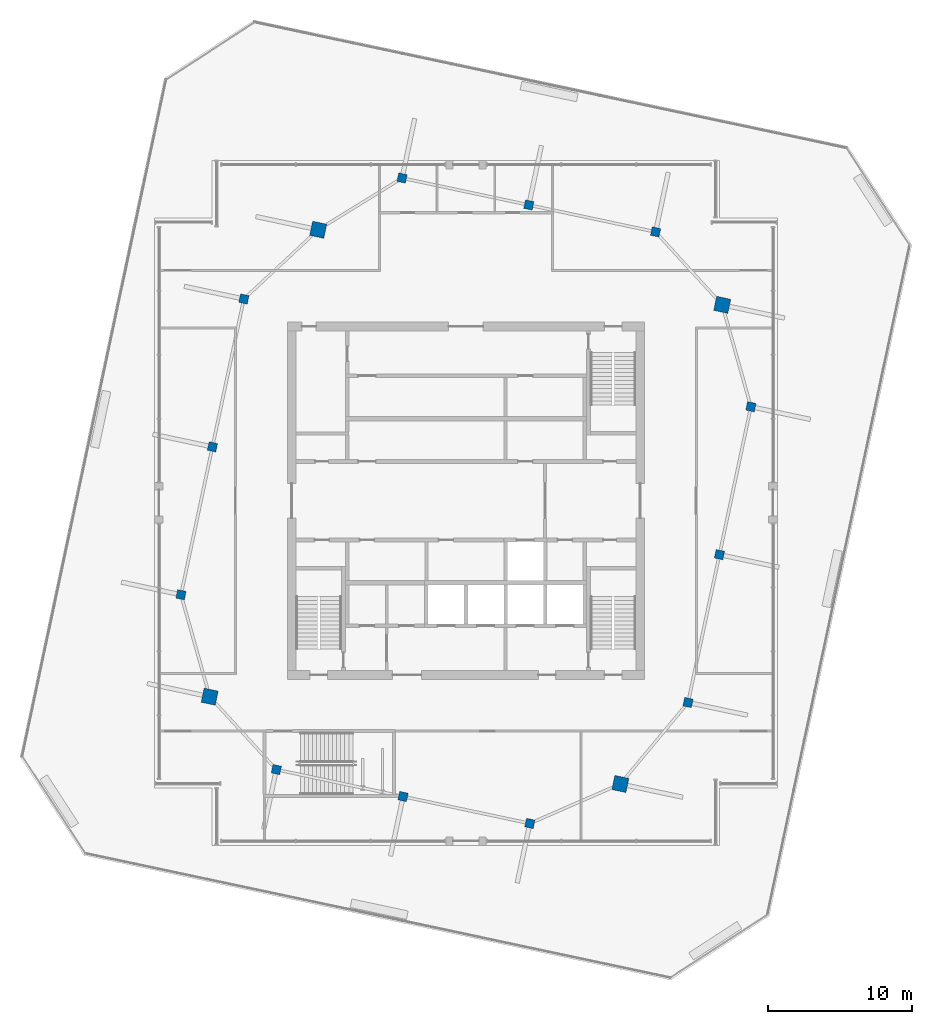
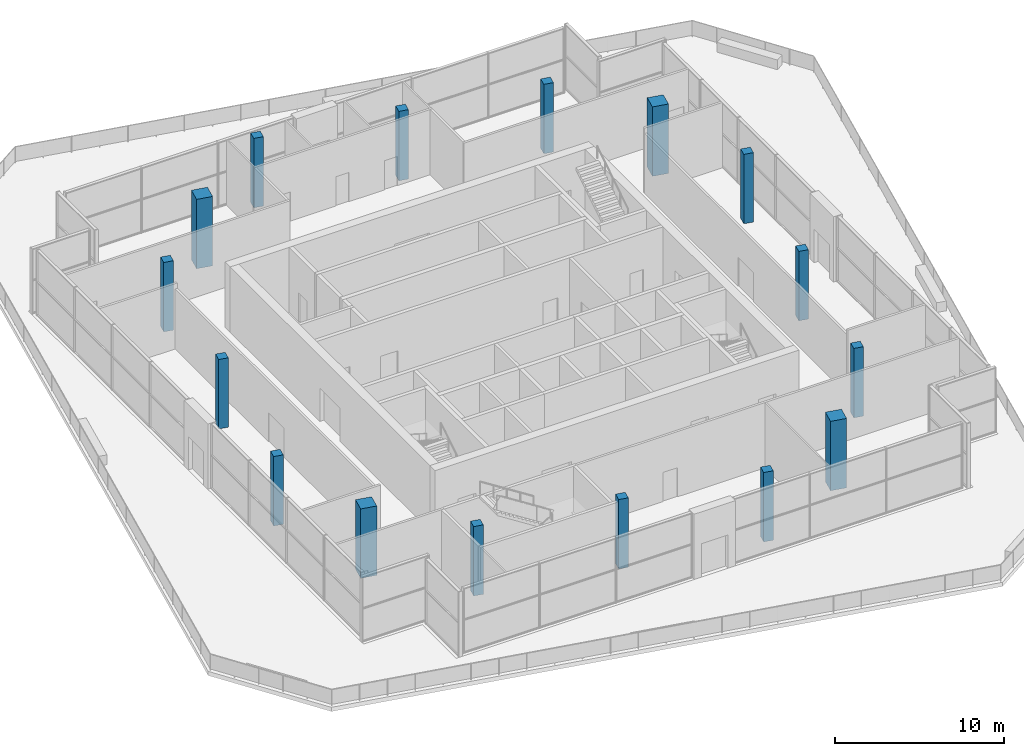
# One storey, part 1 of 14: 16 columns.
"""IFC4 building model written with IfcOpenShell, lengths in metres."""

from ifc_helpers import new_model, si_unit, direction, frame, origin, origin_2d, place, context, subcontext, project, spatial, rectangle, extrude, material, material_profile, profile_set, type_object, element, save


model = new_model("IFC4")

# Units and contexts
model_context = context("Model", 3, precision=1e-05, world=origin(), true_north=direction((0.0, 1.0)))
body_context = subcontext(model_context, "Body", "Model", "MODEL_VIEW")
ifc_project = project(units=[si_unit("LENGTHUNIT", "METRE"), si_unit("AREAUNIT", "SQUARE_METRE"), si_unit("VOLUMEUNIT", "CUBIC_METRE"), si_unit("PLANEANGLEUNIT", "RADIAN"), si_unit("MASSUNIT", "GRAM", prefix="KILO")], contexts=[model_context])

# Site, building, storey
site_placement = place(None, origin())
site = spatial("IfcSite", under=ifc_project, at=site_placement, CompositionType="ELEMENT")
building_placement = place(site_placement, origin())
building = spatial("IfcBuilding", under=site, at=building_placement, Name="Dilmun Exchange Tower", CompositionType="ELEMENT")
storey_placement = place(building_placement, frame((0.0, 0.0, 368.10009765625)))
storey = spatial("IfcBuildingStorey", under=building, at=storey_placement, Name="Crown L86", CompositionType="ELEMENT", Elevation=368.10009765625)

# Columns
ifc_material = material(Name="Concrete C50/60", Category="concrete")
ifc_material_profile_1 = material_profile(ifc_material, rectangle(XDim=1.0, YDim=1.0, at=origin_2d()), Name="1000 x 1000")
ifc_profile_set_1 = profile_set([ifc_material_profile_1], Name="Concrete C50/60")
column_type_1 = type_object("IfcColumnType", Name="RC crown mega column 1000 x 1000 C50/60", PredefinedType="COLUMN", material=ifc_profile_set_1)
for number, where, z_axis, x_axis, name in (
    (1, (-10.260986328125, 18.820068359375, 0.0), (0.0, 0.0, 1.0), (0.207911690818, 0.978147600734, 0.0), "Crown column M1"),
    (2, (-17.798095703125, -13.60693359375, 0.0), (0.0, 0.0, 1.0), (0.207911690818, 0.978147600734, 0.0), "Crown column M2"),
    (3, (10.72509765625, -19.669921875, 0.0), (0.0, 0.0, 1.0), (0.207911690818, 0.978147600734, 0.0), "Crown column M3"),
    (4, (17.798095703125, 13.60693359375, 0.0), (0.0, 0.0, 1.0), (0.207911690818, 0.978147600734, 0.0), "Crown column M4"),
):
    element("IfcColumn", number, at=place(storey_placement, frame(where, z_axis=z_axis, x_axis=x_axis)), inside=storey, type_object=column_type_1, Name=name, PredefinedType="COLUMN", context=body_context, shape_type="SweptSolid", body=[
        extrude(rectangle(XDim=1.0, YDim=1.0, at=origin_2d()), origin(), (0.0, 0.0, 1.0), 5.0),
    ])
ifc_material_profile_2 = material_profile(ifc_material, rectangle(XDim=0.60009765625, YDim=0.60009765625, at=origin_2d()), Name="600 x 600")
ifc_profile_set_2 = profile_set([ifc_material_profile_2], Name="Concrete C50/60")
column_type_2 = type_object("IfcColumnType", Name="RC crown ring column 600 x 600 C50/60", PredefinedType="COLUMN", material=ifc_profile_set_2)
for number, where, z_axis, x_axis, name in (
    (5, (-15.424072265625, 14.012939453125, 0.0), (0.0, 0.0, 1.0), (0.207911690818, 0.978147600734, 0.0), "Crown column R01"),
    (6, (-17.60693359375, 3.741943359375, 0.0), (0.0, 0.0, 1.0), (0.207911690818, 0.978147600734, 0.0), "Crown column R02"),
    (7, (-19.7900390625, -6.528076171875, 0.0), (0.0, 0.0, 1.0), (0.207911690818, 0.978147600734, 0.0), "Crown column R03"),
    (8, (-13.1689453125, -18.669921875, 0.0), (0.0, 0.0, 1.0), (0.207911690818, 0.978147600734, 0.0), "Crown column R04"),
    (9, (-4.365966796875, -20.541015625, 0.0), (0.0, 0.0, 1.0), (0.207911690818, 0.978147600734, 0.0), "Crown column R05"),
    (10, (4.43701171875, -22.412109375, 0.0), (0.0, 0.0, 1.0), (0.207911690818, 0.978147600734, 0.0), "Crown column R06"),
    (11, (15.424072265625, -14.012939453125, 0.0), (0.0, 0.0, 1.0), (0.207911690818, 0.978147600734, 0.0), "Crown column R07"),
    (12, (17.60693359375, -3.741943359375, 0.0), (0.0, 0.0, 1.0), (0.207911690818, 0.978147600734, 0.0), "Crown column R08"),
    (13, (19.7900390625, 6.528076171875, 0.0), (0.0, 0.0, 1.0), (0.207911690818, 0.978147600734, 0.0), "Crown column R09"),
    (14, (13.1689453125, 18.669921875, 0.0), (0.0, 0.0, 1.0), (0.207911690818, 0.978147600734, 0.0), "Crown column R10"),
    (15, (4.365966796875, 20.541015625, 0.0), (0.0, 0.0, 1.0), (0.207911690818, 0.978147600734, 0.0), "Crown column R11"),
    (16, (-4.43701171875, 22.412109375, 0.0), (0.0, 0.0, 1.0), (0.207911690818, 0.978147600734, 0.0), "Crown column R12"),
):
    element("IfcColumn", number, at=place(storey_placement, frame(where, z_axis=z_axis, x_axis=x_axis)), inside=storey, type_object=column_type_2, Name=name, PredefinedType="COLUMN", context=body_context, shape_type="SweptSolid", body=[
        extrude(rectangle(XDim=0.60009765625, YDim=0.60009765625, at=origin_2d()), origin(), (0.0, 0.0, 1.0), 5.0),
    ])

save(model, "model.ifc")
